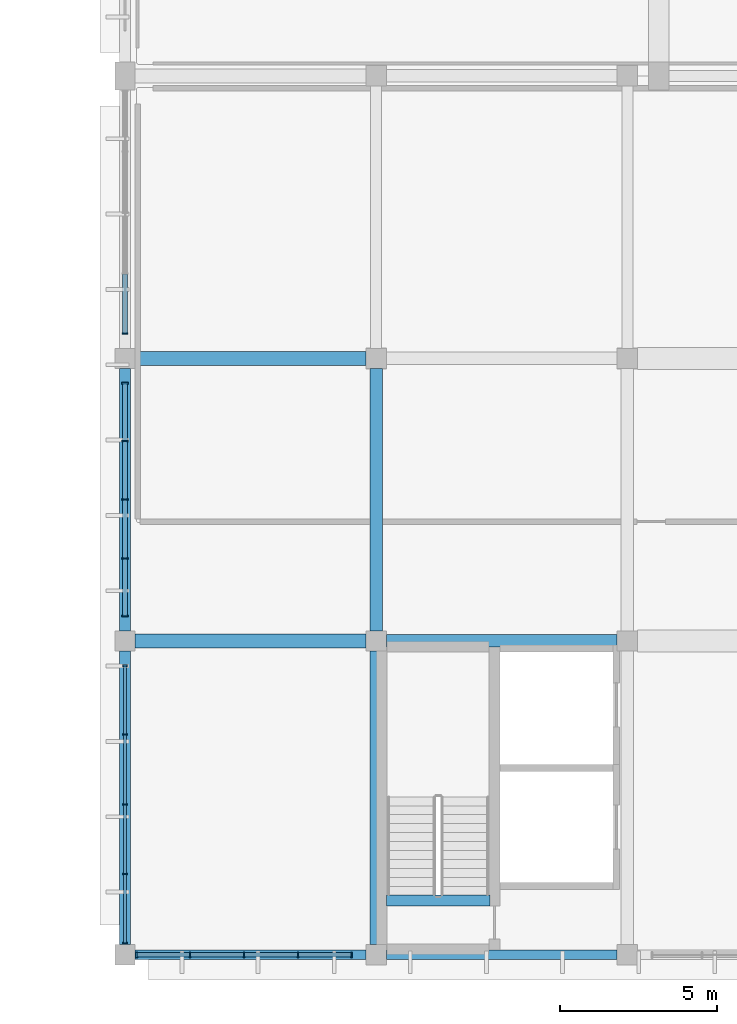
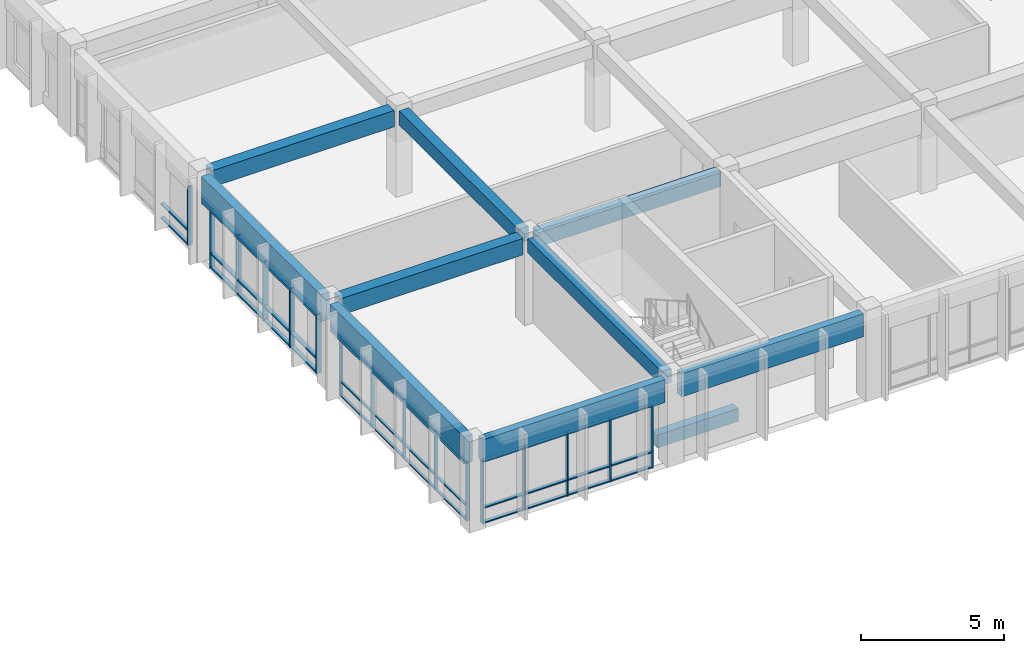
# One storey, part 12 of 98: 54 members, 10 beams, 4 elements without a shape of their own.
"""IFC4 building model written with IfcOpenShell, lengths in metres."""

from ifc_helpers import new_model, si_unit, direction, frame, origin, origin_2d, place, context, subcontext, project, spatial, rectangle, extrude, material, material_profile, profile_set, type_object, element, aggregate, save


model = new_model("IFC4")

# Units and contexts
model_context = context("Model", 3, precision=1e-05, world=origin(), true_north=direction((0.0, 1.0)))
body_context = subcontext(model_context, "Body", "Model", "MODEL_VIEW")
ifc_project = project(units=[si_unit("LENGTHUNIT", "METRE"), si_unit("AREAUNIT", "SQUARE_METRE"), si_unit("VOLUMEUNIT", "CUBIC_METRE"), si_unit("PLANEANGLEUNIT", "RADIAN"), si_unit("MASSUNIT", "GRAM", prefix="KILO")], contexts=[model_context])

# Site, building, storey
site_placement = place(None, origin())
site = spatial("IfcSite", under=ifc_project, at=site_placement, CompositionType="ELEMENT")
building_placement = place(site_placement, origin())
building = spatial("IfcBuilding", under=site, at=building_placement, Name="Larkveld Mobility Hub", CompositionType="ELEMENT")
storey_placement = place(building_placement, frame((0.0, 0.0, 4.5)))
storey = spatial("IfcBuildingStorey", under=building, at=storey_placement, Name="L01", CompositionType="ELEMENT", Elevation=4.5)

# Beams
ifc_material_1 = material(Name="Concrete C40/50", Category="concrete")
ifc_material_profile_1 = material_profile(ifc_material_1, rectangle(XDim=0.35009765625, YDim=0.550048828125, at=origin_2d()), Name="RC BM 350x550")
ifc_profile_set_1 = profile_set([ifc_material_profile_1], Name="Concrete C40/50")
beam_type_1 = type_object("IfcBeamType", Name="BM-RC3555", PredefinedType="BEAM", material=ifc_profile_set_1)
beam_1_placement = place(storey_placement, frame((120.330078125, 1.739990234375, -0.27001953125), z_axis=(1.0, 0.0, 0.0), x_axis=(0.0, 1.0, 0.0)))
element("IfcBeam", 1, at=beam_1_placement, inside=storey, type_object=beam_type_1, Name="Core C4 Stair Header Beam L01", PredefinedType="BEAM", context=body_context, shape_type="SweptSolid", body=[
    extrude(rectangle(XDim=0.35009765625, YDim=0.550048828125, at=origin_2d()), origin(), (0.0, 0.0, 1.0), 3.2900390625),
])
ifc_material_profile_2 = material_profile(ifc_material_1, rectangle(XDim=0.39990234375, YDim=0.60009765625, at=origin_2d()), Name="RC BM 400x600")
ifc_profile_set_2 = profile_set([ifc_material_profile_2], Name="Concrete C40/50")
beam_type_2 = type_object("IfcBeamType", Name="BM-RC4060", PredefinedType="BEAM", material=ifc_profile_set_2)
beam_2_placement = place(storey_placement, frame((120.324951171875, 10.0, 3.360107421875), z_axis=(1.0, 0.0, 0.0), x_axis=(0.0, 1.0, 0.0)))
element("IfcBeam", 2, at=beam_2_placement, inside=storey, type_object=beam_type_2, Name="Primary E-W Girder L01-0250", PredefinedType="BEAM", context=body_context, shape_type="SweptSolid", body=[
    extrude(rectangle(XDim=0.39990234375, YDim=0.60009765625, at=origin_2d()), origin(), (0.0, 0.0, 1.0), 7.35009765625),
])
beam_3_placement = place(storey_placement, frame((120.0, 0.324951171875, 3.360107421875), z_axis=(0.0, 1.0, 0.0), x_axis=(-1.0, 0.0, 0.0)))
element("IfcBeam", 3, at=beam_3_placement, inside=storey, type_object=beam_type_2, Name="Primary N-S Girder L01-0411", PredefinedType="BEAM", context=body_context, shape_type="SweptSolid", body=[
    extrude(rectangle(XDim=0.39990234375, YDim=0.60009765625, at=origin_2d()), origin(), (0.0, 0.0, 1.0), 9.35009765625),
])
beam_4_placement = place(storey_placement, frame((120.0, 10.324951171875, 3.360107421875), z_axis=(0.0, 1.0, 0.0), x_axis=(-1.0, 0.0, 0.0)))
element("IfcBeam", 4, at=beam_4_placement, inside=storey, type_object=beam_type_2, Name="Primary N-S Girder L01-0412", PredefinedType="BEAM", context=body_context, shape_type="SweptSolid", body=[
    extrude(rectangle(XDim=0.39990234375, YDim=0.60009765625, at=origin_2d()), origin(), (0.0, 0.0, 1.0), 8.35009765625),
])
ifc_material_profile_3 = material_profile(ifc_material_1, rectangle(XDim=0.449951171875, YDim=0.699951171875, at=origin_2d()), Name="RC BM 450x700")
ifc_profile_set_3 = profile_set([ifc_material_profile_3], Name="Concrete C40/50")
beam_type_3 = type_object("IfcBeamType", Name="BM-RC4570", PredefinedType="BEAM", material=ifc_profile_set_3)
for number, where, z_axis, x_axis, name in (
    (5, (112.324951171875, 10.0, 3.31005859375), (1.0, 0.0, 0.0), (0.0, 1.0, 0.0), "Primary E-W Girder L01-0249"),
    (6, (112.324951171875, 19.0, 3.31005859375), (1.0, 0.0, 0.0), (0.0, 1.0, 0.0), "Primary E-W Girder L01-0256"),
):
    element("IfcBeam", number, at=place(storey_placement, frame(where, z_axis=z_axis, x_axis=x_axis)), inside=storey, type_object=beam_type_3, Name=name, PredefinedType="BEAM", context=body_context, shape_type="SweptSolid", body=[
        extrude(rectangle(XDim=0.449951171875, YDim=0.699951171875, at=origin_2d()), origin(), (0.0, 0.0, 1.0), 7.35009765625),
    ])
ifc_material_2 = material(Name="Precast concrete C50/60", Category="concrete")
ifc_material_profile_4 = material_profile(ifc_material_2, rectangle(XDim=0.300048828125, YDim=0.97998046875, at=origin_2d()), Name="PC SP 300x980")
ifc_profile_set_4 = profile_set([ifc_material_profile_4], Name="Precast concrete C50/60")
beam_type_4 = type_object("IfcBeamType", Name="BM-SP3098", PredefinedType="SPANDREL", material=ifc_profile_set_4)
for number, where, z_axis, x_axis, name in (
    (7, (112.324951171875, 0.0, 3.169921875), (1.0, 0.0, 0.0), (0.0, 1.0, 0.0), "Primary E-W Girder L01-0242"),
    (8, (120.324951171875, 0.0, 3.169921875), (1.0, 0.0, 0.0), (0.0, 1.0, 0.0), "Primary E-W Girder L01-0243"),
):
    element("IfcBeam", number, at=place(storey_placement, frame(where, z_axis=z_axis, x_axis=x_axis)), inside=storey, type_object=beam_type_4, Name=name, PredefinedType="SPANDREL", context=body_context, shape_type="SweptSolid", body=[
        extrude(rectangle(XDim=0.300048828125, YDim=0.97998046875, at=origin_2d()), origin(), (0.0, 0.0, 1.0), 7.35009765625),
    ])
ifc_material_profile_5 = material_profile(ifc_material_2, rectangle(XDim=0.35009765625, YDim=1.14990234375, at=origin_2d()), Name="PC SP 350x1150")
ifc_profile_set_5 = profile_set([ifc_material_profile_5], Name="Precast concrete C50/60")
beam_type_5 = type_object("IfcBeamType", Name="BM-SP35115", PredefinedType="SPANDREL", material=ifc_profile_set_5)
beam_5_placement = place(storey_placement, frame((112.0, 0.324951171875, 3.0849609375), z_axis=(0.0, 1.0, 0.0), x_axis=(-1.0, 0.0, 0.0)))
element("IfcBeam", 9, at=beam_5_placement, inside=storey, type_object=beam_type_5, Name="Primary N-S Girder L01-0394", PredefinedType="SPANDREL", context=body_context, shape_type="SweptSolid", body=[
    extrude(rectangle(XDim=0.35009765625, YDim=1.14990234375, at=origin_2d()), origin(), (0.0, 0.0, 1.0), 9.35009765625),
])
beam_6_placement = place(storey_placement, frame((112.0, 10.324951171875, 3.0849609375), z_axis=(0.0, 1.0, 0.0), x_axis=(-1.0, 0.0, 0.0)))
element("IfcBeam", 10, at=beam_6_placement, inside=storey, type_object=beam_type_5, Name="Primary N-S Girder L01-0395", PredefinedType="SPANDREL", context=body_context, shape_type="SweptSolid", body=[
    extrude(rectangle(XDim=0.35009765625, YDim=1.14990234375, at=origin_2d()), origin(), (0.0, 0.0, 1.0), 8.35009765625),
])

# Curtain wall, members
ifc_material_3 = material(Name="Anodised aluminium 6063-T6", Category="aluminium")
curtain_wall_type_1 = type_object("IfcCurtainWallType", Name="CW-SYS-10", PredefinedType="NOTDEFINED", material=ifc_material_3)
curtain_wall_1_placement = place(storey_placement, origin())
curtain_wall_1 = element("IfcCurtainWall", 11, at=curtain_wall_1_placement, inside=storey, type_object=curtain_wall_type_1, Name="Service Centre South Curtain Wall L01 CW-094", PredefinedType="NOTDEFINED")
ifc_material_profile_6 = material_profile(ifc_material_3, rectangle(XDim=0.050048828125, YDim=0.179931640625, at=origin_2d()), Name="ALU MULL 50x180")
ifc_profile_set_6 = profile_set([ifc_material_profile_6], Name="Anodised aluminium 6063-T6")
member_type_1 = type_object("IfcMemberType", Name="CW-MUL-02", PredefinedType="MULLION", material=ifc_profile_set_6)
member_1_placement = place(storey_placement, frame((112.375, 0.0, -0.001953125), z_axis=(0.0, 0.0, 1.0), x_axis=(1.0, 0.0, 0.0)))
member_1 = element("IfcMember", 12, at=member_1_placement, type_object=member_type_1, Name="CW10 mullion 1", PredefinedType="MULLION", context=body_context, shape_type="SweptSolid", body=[
    extrude(rectangle(XDim=0.050048828125, YDim=0.179931640625, at=origin_2d()), origin(), (0.0, 0.0, 1.0), 2.681884765625),
])
member_2_placement = place(storey_placement, frame((114.071044921875, 0.0, -0.001953125), z_axis=(0.0, 0.0, 1.0), x_axis=(1.0, 0.0, 0.0)))
member_2 = element("IfcMember", 13, at=member_2_placement, type_object=member_type_1, Name="CW10 mullion 2", PredefinedType="MULLION", context=body_context, shape_type="SweptSolid", body=[
    extrude(rectangle(XDim=0.050048828125, YDim=0.179931640625, at=origin_2d()), origin(), (0.0, 0.0, 1.0), 2.681884765625),
])
member_3_placement = place(storey_placement, frame((115.7919921875, 0.0, -0.001953125), z_axis=(0.0, 0.0, 1.0), x_axis=(1.0, 0.0, 0.0)))
member_3 = element("IfcMember", 14, at=member_3_placement, type_object=member_type_1, Name="CW10 mullion 3", PredefinedType="MULLION", context=body_context, shape_type="SweptSolid", body=[
    extrude(rectangle(XDim=0.050048828125, YDim=0.179931640625, at=origin_2d()), origin(), (0.0, 0.0, 1.0), 2.681884765625),
])
member_4_placement = place(storey_placement, frame((117.513916015625, 0.0, -0.001953125), z_axis=(0.0, 0.0, 1.0), x_axis=(1.0, 0.0, 0.0)))
member_4 = element("IfcMember", 15, at=member_4_placement, type_object=member_type_1, Name="CW10 mullion 4", PredefinedType="MULLION", context=body_context, shape_type="SweptSolid", body=[
    extrude(rectangle(XDim=0.050048828125, YDim=0.179931640625, at=origin_2d()), origin(), (0.0, 0.0, 1.0), 2.681884765625),
])
member_5_placement = place(storey_placement, frame((119.2099609375, 0.0, -0.001953125), z_axis=(0.0, 0.0, 1.0), x_axis=(1.0, 0.0, 0.0)))
member_5 = element("IfcMember", 16, at=member_5_placement, type_object=member_type_1, Name="CW10 mullion 5", PredefinedType="MULLION", context=body_context, shape_type="SweptSolid", body=[
    extrude(rectangle(XDim=0.050048828125, YDim=0.179931640625, at=origin_2d()), origin(), (0.0, 0.0, 1.0), 2.681884765625),
])

# Curtain wall, member
curtain_wall_type_2 = type_object("IfcCurtainWallType", Name="CW-SYS-02", PredefinedType="NOTDEFINED", material=ifc_material_3)
curtain_wall_2_placement = place(storey_placement, origin())
curtain_wall_2 = element("IfcCurtainWall", 17, at=curtain_wall_2_placement, inside=storey, type_object=curtain_wall_type_2, Name="Public Passage East Service Facade L01 CW-098", PredefinedType="NOTDEFINED")
member_6_placement = place(storey_placement, frame((112.0, 19.7900390625, -0.001953125), z_axis=(0.0, 0.0, 1.0), x_axis=(0.0, -1.0, 0.0)))
member_6 = element("IfcMember", 18, at=member_6_placement, type_object=member_type_1, Name="CW02 mullion 5", PredefinedType="MULLION", context=body_context, shape_type="SweptSolid", body=[
    extrude(rectangle(XDim=0.050048828125, YDim=0.179931640625, at=origin_2d()), origin(), (0.0, 0.0, 1.0), 2.511962890625),
])

# Curtain wall, members
curtain_wall_type_3 = type_object("IfcCurtainWallType", Name="CW-SYS-03", PredefinedType="NOTDEFINED", material=ifc_material_3)
curtain_wall_3_placement = place(storey_placement, origin())
curtain_wall_3 = element("IfcCurtainWall", 19, at=curtain_wall_3_placement, inside=storey, type_object=curtain_wall_type_3, Name="Public Passage East Service Facade L01 CW-099", PredefinedType="NOTDEFINED")
ifc_material_profile_7 = material_profile(ifc_material_3, rectangle(XDim=0.050048828125, YDim=0.2099609375, at=origin_2d()), Name="ALU MULL 50x210")
ifc_profile_set_7 = profile_set([ifc_material_profile_7], Name="Anodised aluminium 6063-T6")
member_type_2 = type_object("IfcMemberType", Name="CW-MUL-03", PredefinedType="MULLION", material=ifc_profile_set_7)
member_7_placement = place(storey_placement, frame((112.0, 18.2099609375, -0.001953125), z_axis=(0.0, 0.0, 1.0), x_axis=(0.0, -1.0, 0.0)))
member_7 = element("IfcMember", 20, at=member_7_placement, type_object=member_type_2, Name="CW03 mullion 1", PredefinedType="MULLION", context=body_context, shape_type="SweptSolid", body=[
    extrude(rectangle(XDim=0.050048828125, YDim=0.2099609375, at=origin_2d()), origin(), (0.0, 0.0, 1.0), 2.511962890625),
])
member_8_placement = place(storey_placement, frame((112.0, 16.366943359375, -0.001953125), z_axis=(0.0, 0.0, 1.0), x_axis=(0.0, -1.0, 0.0)))
member_8 = element("IfcMember", 21, at=member_8_placement, type_object=member_type_2, Name="CW03 mullion 2", PredefinedType="MULLION", context=body_context, shape_type="SweptSolid", body=[
    extrude(rectangle(XDim=0.050048828125, YDim=0.2099609375, at=origin_2d()), origin(), (0.0, 0.0, 1.0), 2.511962890625),
])
member_9_placement = place(storey_placement, frame((112.0, 14.5, -0.001953125), z_axis=(0.0, 0.0, 1.0), x_axis=(0.0, -1.0, 0.0)))
member_9 = element("IfcMember", 22, at=member_9_placement, type_object=member_type_2, Name="CW03 mullion 3", PredefinedType="MULLION", context=body_context, shape_type="SweptSolid", body=[
    extrude(rectangle(XDim=0.050048828125, YDim=0.2099609375, at=origin_2d()), origin(), (0.0, 0.0, 1.0), 2.511962890625),
])
member_10_placement = place(storey_placement, frame((112.0, 12.632080078125, -0.001953125), z_axis=(0.0, 0.0, 1.0), x_axis=(0.0, -1.0, 0.0)))
member_10 = element("IfcMember", 23, at=member_10_placement, type_object=member_type_2, Name="CW03 mullion 4", PredefinedType="MULLION", context=body_context, shape_type="SweptSolid", body=[
    extrude(rectangle(XDim=0.050048828125, YDim=0.2099609375, at=origin_2d()), origin(), (0.0, 0.0, 1.0), 2.511962890625),
])
member_11_placement = place(storey_placement, frame((112.0, 10.7900390625, -0.001953125), z_axis=(0.0, 0.0, 1.0), x_axis=(0.0, -1.0, 0.0)))
member_11 = element("IfcMember", 24, at=member_11_placement, type_object=member_type_2, Name="CW03 mullion 5", PredefinedType="MULLION", context=body_context, shape_type="SweptSolid", body=[
    extrude(rectangle(XDim=0.050048828125, YDim=0.2099609375, at=origin_2d()), origin(), (0.0, 0.0, 1.0), 2.511962890625),
])

curtain_wall_type_4 = type_object("IfcCurtainWallType", Name="CW-SYS-04", PredefinedType="NOTDEFINED", material=ifc_material_3)
curtain_wall_4_placement = place(storey_placement, origin())
curtain_wall_4 = element("IfcCurtainWall", 25, at=curtain_wall_4_placement, inside=storey, type_object=curtain_wall_type_4, Name="Public Passage East Service Facade L01 CW-100", PredefinedType="NOTDEFINED")
ifc_material_profile_8 = material_profile(ifc_material_3, rectangle(XDim=0.050048828125, YDim=0.1298828125, at=origin_2d()), Name="ALU MULL 50x130")
ifc_profile_set_8 = profile_set([ifc_material_profile_8], Name="Anodised aluminium 6063-T6")
member_type_3 = type_object("IfcMemberType", Name="CW-MUL-04", PredefinedType="MULLION", material=ifc_profile_set_8)
member_12_placement = place(storey_placement, frame((112.0, 9.2099609375, -0.001953125), z_axis=(0.0, 0.0, 1.0), x_axis=(0.0, -1.0, 0.0)))
member_12 = element("IfcMember", 26, at=member_12_placement, type_object=member_type_3, Name="CW04 mullion 1", PredefinedType="MULLION", context=body_context, shape_type="SweptSolid", body=[
    extrude(rectangle(XDim=0.050048828125, YDim=0.1298828125, at=origin_2d()), origin(), (0.0, 0.0, 1.0), 2.511962890625),
])
member_13_placement = place(storey_placement, frame((112.0, 7.013916015625, -0.001953125), z_axis=(0.0, 0.0, 1.0), x_axis=(0.0, -1.0, 0.0)))
member_13 = element("IfcMember", 27, at=member_13_placement, type_object=member_type_3, Name="CW04 mullion 2", PredefinedType="MULLION", context=body_context, shape_type="SweptSolid", body=[
    extrude(rectangle(XDim=0.050048828125, YDim=0.1298828125, at=origin_2d()), origin(), (0.0, 0.0, 1.0), 2.511962890625),
])
member_14_placement = place(storey_placement, frame((112.0, 4.7919921875, -0.001953125), z_axis=(0.0, 0.0, 1.0), x_axis=(0.0, -1.0, 0.0)))
member_14 = element("IfcMember", 28, at=member_14_placement, type_object=member_type_3, Name="CW04 mullion 3", PredefinedType="MULLION", context=body_context, shape_type="SweptSolid", body=[
    extrude(rectangle(XDim=0.050048828125, YDim=0.1298828125, at=origin_2d()), origin(), (0.0, 0.0, 1.0), 2.511962890625),
])
member_15_placement = place(storey_placement, frame((112.0, 2.571044921875, -0.001953125), z_axis=(0.0, 0.0, 1.0), x_axis=(0.0, -1.0, 0.0)))
member_15 = element("IfcMember", 29, at=member_15_placement, type_object=member_type_3, Name="CW04 mullion 4", PredefinedType="MULLION", context=body_context, shape_type="SweptSolid", body=[
    extrude(rectangle(XDim=0.050048828125, YDim=0.1298828125, at=origin_2d()), origin(), (0.0, 0.0, 1.0), 2.511962890625),
])
member_16_placement = place(storey_placement, frame((112.0, 0.375, -0.001953125), z_axis=(0.0, 0.0, 1.0), x_axis=(0.0, -1.0, 0.0)))
member_16 = element("IfcMember", 30, at=member_16_placement, type_object=member_type_3, Name="CW04 mullion 5", PredefinedType="MULLION", context=body_context, shape_type="SweptSolid", body=[
    extrude(rectangle(XDim=0.050048828125, YDim=0.1298828125, at=origin_2d()), origin(), (0.0, 0.0, 1.0), 2.511962890625),
])

# Member
ifc_material_profile_9 = material_profile(ifc_material_3, rectangle(XDim=0.14990234375, YDim=0.050048828125, at=origin_2d()), Name="ALU TRAN 50x150")
ifc_profile_set_9 = profile_set([ifc_material_profile_9], Name="Anodised aluminium 6063-T6")
member_type_4 = type_object("IfcMemberType", Name="CW-TRN-02", PredefinedType="USERDEFINED", material=ifc_profile_set_9)
member_17_placement = place(storey_placement, frame((112.385009765625, 0.0, 0.030029296875), z_axis=(1.0, 0.0, 0.0), x_axis=(0.0, 1.0, 0.0)))
member_17 = element("IfcMember", 31, at=member_17_placement, type_object=member_type_4, Name="CW10 transom 1.1", ObjectType="TRANSOM", PredefinedType="USERDEFINED", context=body_context, shape_type="SweptSolid", body=[
    extrude(rectangle(XDim=0.14990234375, YDim=0.050048828125, at=origin_2d()), origin(), (0.0, 0.0, 1.0), 1.6708984375),
])

member_18_placement = place(storey_placement, frame((112.385009765625, 0.0, 0.669921875), z_axis=(1.0, 0.0, 0.0), x_axis=(0.0, 1.0, 0.0)))
member_18 = element("IfcMember", 32, at=member_18_placement, type_object=member_type_4, Name="CW10 transom 1.2", ObjectType="TRANSOM", PredefinedType="USERDEFINED", context=body_context, shape_type="SweptSolid", body=[
    extrude(rectangle(XDim=0.14990234375, YDim=0.050048828125, at=origin_2d()), origin(), (0.0, 0.0, 1.0), 1.6708984375),
])

member_19_placement = place(storey_placement, frame((112.385009765625, 0.0, 2.64794921875), z_axis=(1.0, 0.0, 0.0), x_axis=(0.0, 1.0, 0.0)))
member_19 = element("IfcMember", 33, at=member_19_placement, type_object=member_type_4, Name="CW10 transom 1.3", ObjectType="TRANSOM", PredefinedType="USERDEFINED", context=body_context, shape_type="SweptSolid", body=[
    extrude(rectangle(XDim=0.14990234375, YDim=0.050048828125, at=origin_2d()), origin(), (0.0, 0.0, 1.0), 1.6708984375),
])

member_20_placement = place(storey_placement, frame((114.0859375, 0.0, 0.030029296875), z_axis=(1.0, 0.0, 0.0), x_axis=(0.0, 1.0, 0.0)))
member_20 = element("IfcMember", 34, at=member_20_placement, type_object=member_type_4, Name="CW10 transom 2.1", ObjectType="TRANSOM", PredefinedType="USERDEFINED", context=body_context, shape_type="SweptSolid", body=[
    extrude(rectangle(XDim=0.14990234375, YDim=0.050048828125, at=origin_2d()), origin(), (0.0, 0.0, 1.0), 1.691162109375),
])

member_21_placement = place(storey_placement, frame((114.0859375, 0.0, 0.669921875), z_axis=(1.0, 0.0, 0.0), x_axis=(0.0, 1.0, 0.0)))
member_21 = element("IfcMember", 35, at=member_21_placement, type_object=member_type_4, Name="CW10 transom 2.2", ObjectType="TRANSOM", PredefinedType="USERDEFINED", context=body_context, shape_type="SweptSolid", body=[
    extrude(rectangle(XDim=0.14990234375, YDim=0.050048828125, at=origin_2d()), origin(), (0.0, 0.0, 1.0), 1.691162109375),
])

member_22_placement = place(storey_placement, frame((114.0859375, 0.0, 2.64794921875), z_axis=(1.0, 0.0, 0.0), x_axis=(0.0, 1.0, 0.0)))
member_22 = element("IfcMember", 36, at=member_22_placement, type_object=member_type_4, Name="CW10 transom 2.3", ObjectType="TRANSOM", PredefinedType="USERDEFINED", context=body_context, shape_type="SweptSolid", body=[
    extrude(rectangle(XDim=0.14990234375, YDim=0.050048828125, at=origin_2d()), origin(), (0.0, 0.0, 1.0), 1.691162109375),
])

member_23_placement = place(storey_placement, frame((115.806884765625, 0.0, 0.030029296875), z_axis=(1.0, 0.0, 0.0), x_axis=(0.0, 1.0, 0.0)))
member_23 = element("IfcMember", 37, at=member_23_placement, type_object=member_type_4, Name="CW10 transom 3.1", ObjectType="TRANSOM", PredefinedType="USERDEFINED", context=body_context, shape_type="SweptSolid", body=[
    extrude(rectangle(XDim=0.14990234375, YDim=0.050048828125, at=origin_2d()), origin(), (0.0, 0.0, 1.0), 1.692138671875),
])

member_24_placement = place(storey_placement, frame((115.806884765625, 0.0, 0.669921875), z_axis=(1.0, 0.0, 0.0), x_axis=(0.0, 1.0, 0.0)))
member_24 = element("IfcMember", 38, at=member_24_placement, type_object=member_type_4, Name="CW10 transom 3.2", ObjectType="TRANSOM", PredefinedType="USERDEFINED", context=body_context, shape_type="SweptSolid", body=[
    extrude(rectangle(XDim=0.14990234375, YDim=0.050048828125, at=origin_2d()), origin(), (0.0, 0.0, 1.0), 1.692138671875),
])

member_25_placement = place(storey_placement, frame((115.806884765625, 0.0, 2.64794921875), z_axis=(1.0, 0.0, 0.0), x_axis=(0.0, 1.0, 0.0)))
member_25 = element("IfcMember", 39, at=member_25_placement, type_object=member_type_4, Name="CW10 transom 3.3", ObjectType="TRANSOM", PredefinedType="USERDEFINED", context=body_context, shape_type="SweptSolid", body=[
    extrude(rectangle(XDim=0.14990234375, YDim=0.050048828125, at=origin_2d()), origin(), (0.0, 0.0, 1.0), 1.692138671875),
])

member_26_placement = place(storey_placement, frame((117.529052734375, 0.0, 0.030029296875), z_axis=(1.0, 0.0, 0.0), x_axis=(0.0, 1.0, 0.0)))
member_26 = element("IfcMember", 40, at=member_26_placement, type_object=member_type_4, Name="CW10 transom 4.1", ObjectType="TRANSOM", PredefinedType="USERDEFINED", context=body_context, shape_type="SweptSolid", body=[
    extrude(rectangle(XDim=0.14990234375, YDim=0.050048828125, at=origin_2d()), origin(), (0.0, 0.0, 1.0), 1.6708984375),
])

member_27_placement = place(storey_placement, frame((117.529052734375, 0.0, 0.669921875), z_axis=(1.0, 0.0, 0.0), x_axis=(0.0, 1.0, 0.0)))
member_27 = element("IfcMember", 41, at=member_27_placement, type_object=member_type_4, Name="CW10 transom 4.2", ObjectType="TRANSOM", PredefinedType="USERDEFINED", context=body_context, shape_type="SweptSolid", body=[
    extrude(rectangle(XDim=0.14990234375, YDim=0.050048828125, at=origin_2d()), origin(), (0.0, 0.0, 1.0), 1.6708984375),
])

member_28_placement = place(storey_placement, frame((117.529052734375, 0.0, 2.64794921875), z_axis=(1.0, 0.0, 0.0), x_axis=(0.0, 1.0, 0.0)))
member_28 = element("IfcMember", 42, at=member_28_placement, type_object=member_type_4, Name="CW10 transom 4.3", ObjectType="TRANSOM", PredefinedType="USERDEFINED", context=body_context, shape_type="SweptSolid", body=[
    extrude(rectangle(XDim=0.14990234375, YDim=0.050048828125, at=origin_2d()), origin(), (0.0, 0.0, 1.0), 1.6708984375),
])

aggregate(curtain_wall_1, [member_1, member_2, member_3, member_4, member_5, member_17, member_18, member_19, member_20, member_21, member_22, member_23, member_24, member_25, member_26, member_27, member_28])

member_29_placement = place(storey_placement, frame((112.0, 21.694091796875, 0.030029296875), z_axis=(0.0, -1.0, 0.0), x_axis=(1.0, 0.0, 0.0)))
member_29 = element("IfcMember", 43, at=member_29_placement, type_object=member_type_4, Name="CW02 transom 4.1", ObjectType="TRANSOM", PredefinedType="USERDEFINED", context=body_context, shape_type="SweptSolid", body=[
    extrude(rectangle(XDim=0.14990234375, YDim=0.050048828125, at=origin_2d()), origin(), (0.0, 0.0, 1.0), 1.89404296875),
])

member_30_placement = place(storey_placement, frame((112.0, 21.694091796875, 0.626953125), z_axis=(0.0, -1.0, 0.0), x_axis=(1.0, 0.0, 0.0)))
member_30 = element("IfcMember", 44, at=member_30_placement, type_object=member_type_4, Name="CW02 transom 4.2", ObjectType="TRANSOM", PredefinedType="USERDEFINED", context=body_context, shape_type="SweptSolid", body=[
    extrude(rectangle(XDim=0.14990234375, YDim=0.050048828125, at=origin_2d()), origin(), (0.0, 0.0, 1.0), 1.89404296875),
])

aggregate(curtain_wall_2, [member_6, member_29, member_30])

ifc_material_profile_10 = material_profile(ifc_material_3, rectangle(XDim=0.169921875, YDim=0.050048828125, at=origin_2d()), Name="ALU TRAN 50x170")
ifc_profile_set_10 = profile_set([ifc_material_profile_10], Name="Anodised aluminium 6063-T6")
member_type_5 = type_object("IfcMemberType", Name="CW-TRN-03", PredefinedType="USERDEFINED", material=ifc_profile_set_10)
member_31_placement = place(storey_placement, frame((112.0, 18.199951171875, 0.030029296875), z_axis=(0.0, -1.0, 0.0), x_axis=(1.0, 0.0, 0.0)))
member_31 = element("IfcMember", 45, at=member_31_placement, type_object=member_type_5, Name="CW03 transom 1.1", ObjectType="TRANSOM", PredefinedType="USERDEFINED", context=body_context, shape_type="SweptSolid", body=[
    extrude(rectangle(XDim=0.169921875, YDim=0.050048828125, at=origin_2d()), origin(), (0.0, 0.0, 1.0), 1.81689453125),
])

member_32_placement = place(storey_placement, frame((112.0, 18.199951171875, 0.626953125), z_axis=(0.0, -1.0, 0.0), x_axis=(1.0, 0.0, 0.0)))
member_32 = element("IfcMember", 46, at=member_32_placement, type_object=member_type_5, Name="CW03 transom 1.2", ObjectType="TRANSOM", PredefinedType="USERDEFINED", context=body_context, shape_type="SweptSolid", body=[
    extrude(rectangle(XDim=0.169921875, YDim=0.050048828125, at=origin_2d()), origin(), (0.0, 0.0, 1.0), 1.81689453125),
])

member_33_placement = place(storey_placement, frame((112.0, 18.199951171875, 2.47802734375), z_axis=(0.0, -1.0, 0.0), x_axis=(1.0, 0.0, 0.0)))
member_33 = element("IfcMember", 47, at=member_33_placement, type_object=member_type_5, Name="CW03 transom 1.3", ObjectType="TRANSOM", PredefinedType="USERDEFINED", context=body_context, shape_type="SweptSolid", body=[
    extrude(rectangle(XDim=0.169921875, YDim=0.050048828125, at=origin_2d()), origin(), (0.0, 0.0, 1.0), 1.81689453125),
])

member_34_placement = place(storey_placement, frame((112.0, 16.35205078125, 0.030029296875), z_axis=(0.0, -1.0, 0.0), x_axis=(1.0, 0.0, 0.0)))
member_34 = element("IfcMember", 48, at=member_34_placement, type_object=member_type_5, Name="CW03 transom 2.1", ObjectType="TRANSOM", PredefinedType="USERDEFINED", context=body_context, shape_type="SweptSolid", body=[
    extrude(rectangle(XDim=0.169921875, YDim=0.050048828125, at=origin_2d()), origin(), (0.0, 0.0, 1.0), 1.837158203125),
])

member_35_placement = place(storey_placement, frame((112.0, 16.35205078125, 0.626953125), z_axis=(0.0, -1.0, 0.0), x_axis=(1.0, 0.0, 0.0)))
member_35 = element("IfcMember", 49, at=member_35_placement, type_object=member_type_5, Name="CW03 transom 2.2", ObjectType="TRANSOM", PredefinedType="USERDEFINED", context=body_context, shape_type="SweptSolid", body=[
    extrude(rectangle(XDim=0.169921875, YDim=0.050048828125, at=origin_2d()), origin(), (0.0, 0.0, 1.0), 1.837158203125),
])

member_36_placement = place(storey_placement, frame((112.0, 16.35205078125, 2.47802734375), z_axis=(0.0, -1.0, 0.0), x_axis=(1.0, 0.0, 0.0)))
member_36 = element("IfcMember", 50, at=member_36_placement, type_object=member_type_5, Name="CW03 transom 2.3", ObjectType="TRANSOM", PredefinedType="USERDEFINED", context=body_context, shape_type="SweptSolid", body=[
    extrude(rectangle(XDim=0.169921875, YDim=0.050048828125, at=origin_2d()), origin(), (0.0, 0.0, 1.0), 1.837158203125),
])

member_37_placement = place(storey_placement, frame((112.0, 14.485107421875, 0.030029296875), z_axis=(0.0, -1.0, 0.0), x_axis=(1.0, 0.0, 0.0)))
member_37 = element("IfcMember", 51, at=member_37_placement, type_object=member_type_5, Name="CW03 transom 3.1", ObjectType="TRANSOM", PredefinedType="USERDEFINED", context=body_context, shape_type="SweptSolid", body=[
    extrude(rectangle(XDim=0.169921875, YDim=0.050048828125, at=origin_2d()), origin(), (0.0, 0.0, 1.0), 1.838134765625),
])

member_38_placement = place(storey_placement, frame((112.0, 14.485107421875, 0.626953125), z_axis=(0.0, -1.0, 0.0), x_axis=(1.0, 0.0, 0.0)))
member_38 = element("IfcMember", 52, at=member_38_placement, type_object=member_type_5, Name="CW03 transom 3.2", ObjectType="TRANSOM", PredefinedType="USERDEFINED", context=body_context, shape_type="SweptSolid", body=[
    extrude(rectangle(XDim=0.169921875, YDim=0.050048828125, at=origin_2d()), origin(), (0.0, 0.0, 1.0), 1.838134765625),
])

member_39_placement = place(storey_placement, frame((112.0, 14.485107421875, 2.47802734375), z_axis=(0.0, -1.0, 0.0), x_axis=(1.0, 0.0, 0.0)))
member_39 = element("IfcMember", 53, at=member_39_placement, type_object=member_type_5, Name="CW03 transom 3.3", ObjectType="TRANSOM", PredefinedType="USERDEFINED", context=body_context, shape_type="SweptSolid", body=[
    extrude(rectangle(XDim=0.169921875, YDim=0.050048828125, at=origin_2d()), origin(), (0.0, 0.0, 1.0), 1.838134765625),
])

member_40_placement = place(storey_placement, frame((112.0, 12.616943359375, 0.030029296875), z_axis=(0.0, -1.0, 0.0), x_axis=(1.0, 0.0, 0.0)))
member_40 = element("IfcMember", 54, at=member_40_placement, type_object=member_type_5, Name="CW03 transom 4.1", ObjectType="TRANSOM", PredefinedType="USERDEFINED", context=body_context, shape_type="SweptSolid", body=[
    extrude(rectangle(XDim=0.169921875, YDim=0.050048828125, at=origin_2d()), origin(), (0.0, 0.0, 1.0), 1.81689453125),
])

member_41_placement = place(storey_placement, frame((112.0, 12.616943359375, 0.626953125), z_axis=(0.0, -1.0, 0.0), x_axis=(1.0, 0.0, 0.0)))
member_41 = element("IfcMember", 55, at=member_41_placement, type_object=member_type_5, Name="CW03 transom 4.2", ObjectType="TRANSOM", PredefinedType="USERDEFINED", context=body_context, shape_type="SweptSolid", body=[
    extrude(rectangle(XDim=0.169921875, YDim=0.050048828125, at=origin_2d()), origin(), (0.0, 0.0, 1.0), 1.81689453125),
])

member_42_placement = place(storey_placement, frame((112.0, 12.616943359375, 2.47802734375), z_axis=(0.0, -1.0, 0.0), x_axis=(1.0, 0.0, 0.0)))
member_42 = element("IfcMember", 56, at=member_42_placement, type_object=member_type_5, Name="CW03 transom 4.3", ObjectType="TRANSOM", PredefinedType="USERDEFINED", context=body_context, shape_type="SweptSolid", body=[
    extrude(rectangle(XDim=0.169921875, YDim=0.050048828125, at=origin_2d()), origin(), (0.0, 0.0, 1.0), 1.81689453125),
])

aggregate(curtain_wall_3, [member_7, member_8, member_9, member_10, member_11, member_31, member_32, member_33, member_34, member_35, member_36, member_37, member_38, member_39, member_40, member_41, member_42])

ifc_material_profile_11 = material_profile(ifc_material_3, rectangle(XDim=0.10009765625, YDim=0.050048828125, at=origin_2d()), Name="ALU TRAN 50x100")
ifc_profile_set_11 = profile_set([ifc_material_profile_11], Name="Anodised aluminium 6063-T6")
member_type_6 = type_object("IfcMemberType", Name="CW-TRN-04", PredefinedType="USERDEFINED", material=ifc_profile_set_11)
member_43_placement = place(storey_placement, frame((112.0, 9.199951171875, 0.030029296875), z_axis=(0.0, -1.0, 0.0), x_axis=(1.0, 0.0, 0.0)))
member_43 = element("IfcMember", 57, at=member_43_placement, type_object=member_type_6, Name="CW04 transom 1.1", ObjectType="TRANSOM", PredefinedType="USERDEFINED", context=body_context, shape_type="SweptSolid", body=[
    extrude(rectangle(XDim=0.10009765625, YDim=0.050048828125, at=origin_2d()), origin(), (0.0, 0.0, 1.0), 2.1708984375),
])

member_44_placement = place(storey_placement, frame((112.0, 9.199951171875, 0.626953125), z_axis=(0.0, -1.0, 0.0), x_axis=(1.0, 0.0, 0.0)))
member_44 = element("IfcMember", 58, at=member_44_placement, type_object=member_type_6, Name="CW04 transom 1.2", ObjectType="TRANSOM", PredefinedType="USERDEFINED", context=body_context, shape_type="SweptSolid", body=[
    extrude(rectangle(XDim=0.10009765625, YDim=0.050048828125, at=origin_2d()), origin(), (0.0, 0.0, 1.0), 2.1708984375),
])

member_45_placement = place(storey_placement, frame((112.0, 9.199951171875, 2.47802734375), z_axis=(0.0, -1.0, 0.0), x_axis=(1.0, 0.0, 0.0)))
member_45 = element("IfcMember", 59, at=member_45_placement, type_object=member_type_6, Name="CW04 transom 1.3", ObjectType="TRANSOM", PredefinedType="USERDEFINED", context=body_context, shape_type="SweptSolid", body=[
    extrude(rectangle(XDim=0.10009765625, YDim=0.050048828125, at=origin_2d()), origin(), (0.0, 0.0, 1.0), 2.1708984375),
])

member_46_placement = place(storey_placement, frame((112.0, 6.9990234375, 0.030029296875), z_axis=(0.0, -1.0, 0.0), x_axis=(1.0, 0.0, 0.0)))
member_46 = element("IfcMember", 60, at=member_46_placement, type_object=member_type_6, Name="CW04 transom 2.1", ObjectType="TRANSOM", PredefinedType="USERDEFINED", context=body_context, shape_type="SweptSolid", body=[
    extrude(rectangle(XDim=0.10009765625, YDim=0.050048828125, at=origin_2d()), origin(), (0.0, 0.0, 1.0), 2.192138671875),
])

member_47_placement = place(storey_placement, frame((112.0, 6.9990234375, 0.626953125), z_axis=(0.0, -1.0, 0.0), x_axis=(1.0, 0.0, 0.0)))
member_47 = element("IfcMember", 61, at=member_47_placement, type_object=member_type_6, Name="CW04 transom 2.2", ObjectType="TRANSOM", PredefinedType="USERDEFINED", context=body_context, shape_type="SweptSolid", body=[
    extrude(rectangle(XDim=0.10009765625, YDim=0.050048828125, at=origin_2d()), origin(), (0.0, 0.0, 1.0), 2.192138671875),
])

member_48_placement = place(storey_placement, frame((112.0, 6.9990234375, 2.47802734375), z_axis=(0.0, -1.0, 0.0), x_axis=(1.0, 0.0, 0.0)))
member_48 = element("IfcMember", 62, at=member_48_placement, type_object=member_type_6, Name="CW04 transom 2.3", ObjectType="TRANSOM", PredefinedType="USERDEFINED", context=body_context, shape_type="SweptSolid", body=[
    extrude(rectangle(XDim=0.10009765625, YDim=0.050048828125, at=origin_2d()), origin(), (0.0, 0.0, 1.0), 2.192138671875),
])

member_49_placement = place(storey_placement, frame((112.0, 4.777099609375, 0.030029296875), z_axis=(0.0, -1.0, 0.0), x_axis=(1.0, 0.0, 0.0)))
member_49 = element("IfcMember", 63, at=member_49_placement, type_object=member_type_6, Name="CW04 transom 3.1", ObjectType="TRANSOM", PredefinedType="USERDEFINED", context=body_context, shape_type="SweptSolid", body=[
    extrude(rectangle(XDim=0.10009765625, YDim=0.050048828125, at=origin_2d()), origin(), (0.0, 0.0, 1.0), 2.191162109375),
])

member_50_placement = place(storey_placement, frame((112.0, 4.777099609375, 0.626953125), z_axis=(0.0, -1.0, 0.0), x_axis=(1.0, 0.0, 0.0)))
member_50 = element("IfcMember", 64, at=member_50_placement, type_object=member_type_6, Name="CW04 transom 3.2", ObjectType="TRANSOM", PredefinedType="USERDEFINED", context=body_context, shape_type="SweptSolid", body=[
    extrude(rectangle(XDim=0.10009765625, YDim=0.050048828125, at=origin_2d()), origin(), (0.0, 0.0, 1.0), 2.191162109375),
])

member_51_placement = place(storey_placement, frame((112.0, 4.777099609375, 2.47802734375), z_axis=(0.0, -1.0, 0.0), x_axis=(1.0, 0.0, 0.0)))
member_51 = element("IfcMember", 65, at=member_51_placement, type_object=member_type_6, Name="CW04 transom 3.3", ObjectType="TRANSOM", PredefinedType="USERDEFINED", context=body_context, shape_type="SweptSolid", body=[
    extrude(rectangle(XDim=0.10009765625, YDim=0.050048828125, at=origin_2d()), origin(), (0.0, 0.0, 1.0), 2.191162109375),
])

member_52_placement = place(storey_placement, frame((112.0, 2.555908203125, 0.030029296875), z_axis=(0.0, -1.0, 0.0), x_axis=(1.0, 0.0, 0.0)))
member_52 = element("IfcMember", 66, at=member_52_placement, type_object=member_type_6, Name="CW04 transom 4.1", ObjectType="TRANSOM", PredefinedType="USERDEFINED", context=body_context, shape_type="SweptSolid", body=[
    extrude(rectangle(XDim=0.10009765625, YDim=0.050048828125, at=origin_2d()), origin(), (0.0, 0.0, 1.0), 2.1708984375),
])

member_53_placement = place(storey_placement, frame((112.0, 2.555908203125, 0.626953125), z_axis=(0.0, -1.0, 0.0), x_axis=(1.0, 0.0, 0.0)))
member_53 = element("IfcMember", 67, at=member_53_placement, type_object=member_type_6, Name="CW04 transom 4.2", ObjectType="TRANSOM", PredefinedType="USERDEFINED", context=body_context, shape_type="SweptSolid", body=[
    extrude(rectangle(XDim=0.10009765625, YDim=0.050048828125, at=origin_2d()), origin(), (0.0, 0.0, 1.0), 2.1708984375),
])

member_54_placement = place(storey_placement, frame((112.0, 2.555908203125, 2.47802734375), z_axis=(0.0, -1.0, 0.0), x_axis=(1.0, 0.0, 0.0)))
member_54 = element("IfcMember", 68, at=member_54_placement, type_object=member_type_6, Name="CW04 transom 4.3", ObjectType="TRANSOM", PredefinedType="USERDEFINED", context=body_context, shape_type="SweptSolid", body=[
    extrude(rectangle(XDim=0.10009765625, YDim=0.050048828125, at=origin_2d()), origin(), (0.0, 0.0, 1.0), 2.1708984375),
])

aggregate(curtain_wall_4, [member_12, member_13, member_14, member_15, member_16, member_43, member_44, member_45, member_46, member_47, member_48, member_49, member_50, member_51, member_52, member_53, member_54])

save(model, "model.ifc")
